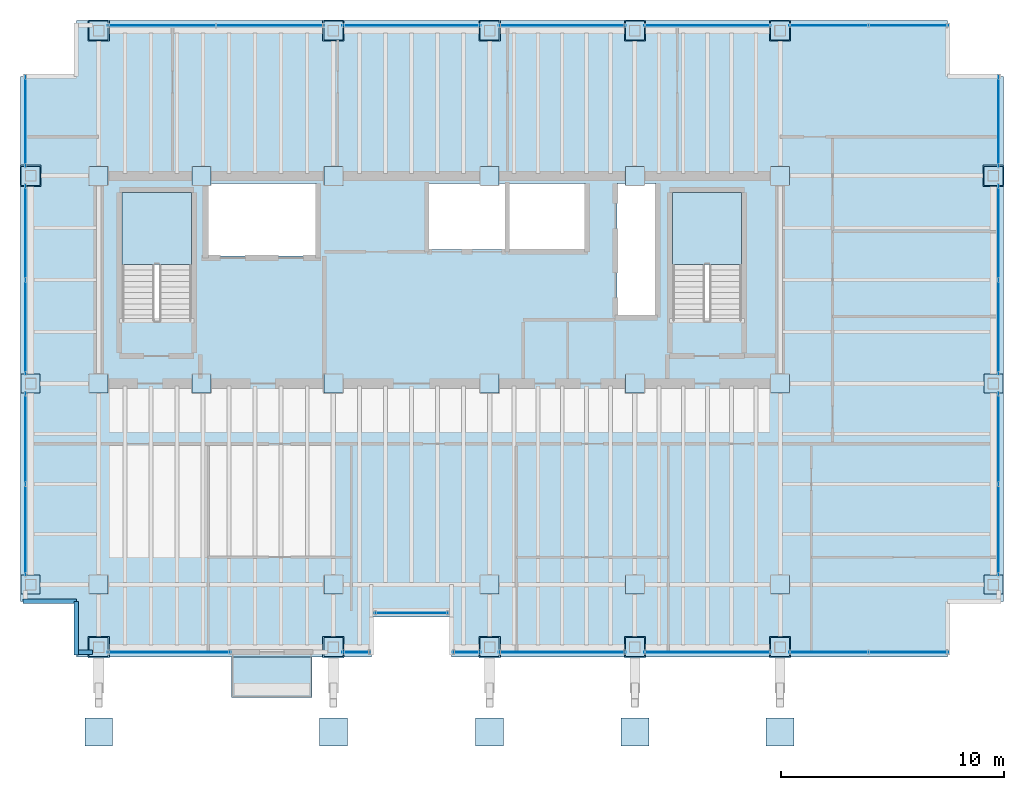
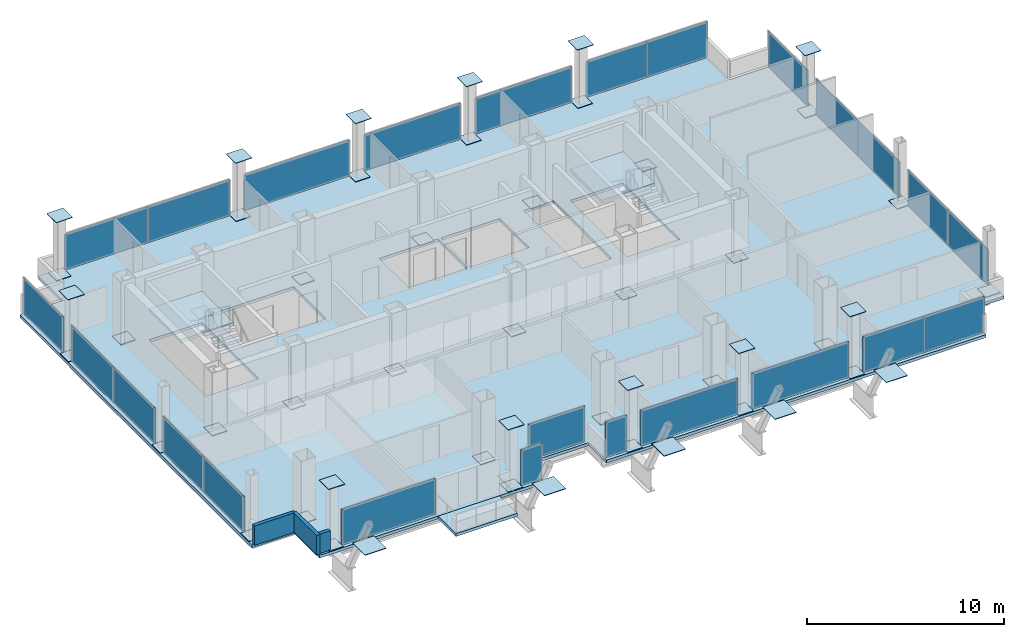
# One storey, part 12 of 16: 75 plates, 4 slabs, 3 walls, 6 openings, 20 elements without a shape of their own.
"""IFC4 building model written with IfcOpenShell, lengths in metres."""

from ifc_helpers import new_model, si_unit, direction, frame, frame_2d, origin, origin_2d, place, context, subcontext, project, spatial, polyline, rectangle, outline, extrude, material, layer, layer_set, type_object, element, aggregate, save


model = new_model("IFC4")

# Units and contexts
model_context = context("Model", 3, precision=1e-05, world=origin(), true_north=direction((0.0, 1.0)))
body_context = subcontext(model_context, "Body", "Model", "MODEL_VIEW")
ifc_project = project(units=[si_unit("LENGTHUNIT", "METRE"), si_unit("AREAUNIT", "SQUARE_METRE"), si_unit("VOLUMEUNIT", "CUBIC_METRE"), si_unit("PLANEANGLEUNIT", "RADIAN"), si_unit("MASSUNIT", "GRAM", prefix="KILO")], contexts=[model_context])

# Site, building, storey
site_placement = place(None, origin())
site = spatial("IfcSite", under=ifc_project, at=site_placement, CompositionType="ELEMENT")
building_placement = place(site_placement, origin())
building = spatial("IfcBuilding", under=site, at=building_placement, Name="Noeulbin Bourse Tower", CompositionType="ELEMENT")
storey_placement = place(building_placement, frame((0.0, 0.0, 192.89990234375)))
storey = spatial("IfcBuildingStorey", under=building, at=storey_placement, Name="L48", CompositionType="ELEMENT", Elevation=192.89990234375)

# Curtain wall, plate
ifc_material_1 = material(Name="Dark Tinted Triple Glazing", Category="glass")
curtain_wall_type = type_object("IfcCurtainWallType", Name="CW-SYS-3", PredefinedType="NOTDEFINED", material=ifc_material_1)
curtain_wall_1_placement = place(storey_placement, origin())
curtain_wall_1 = element("IfcCurtainWall", 1, at=curtain_wall_1_placement, inside=storey, type_object=curtain_wall_type, Name="Unitised Curtain Wall CW-L48-SREC", PredefinedType="NOTDEFINED")
ifc_layer_1 = layer(ifc_material_1, 0.035888671875)
ifc_layer_set_1 = layer_set([ifc_layer_1], Name="Dark Tinted Triple Glazing")
plate_type_1 = type_object("IfcPlateType", Name="CW-SYS-3-PNL", PredefinedType="CURTAIN_PANEL", material=ifc_layer_set_1)
plate_1_placement = place(storey_placement, frame((27.5, 18.72998046875, 0.0), z_axis=(0.0, 0.0, 1.0), x_axis=(1.0, 0.0, 0.0)))
plate_1 = element("IfcPlate", 2, at=plate_1_placement, type_object=plate_type_1, Name="Glazed Curtain Panel CW-L48-SREC-P00", PredefinedType="CURTAIN_PANEL", context=body_context, shape_type="SweptSolid", body=[
    extrude(rectangle(XDim=3.300048828125, YDim=0.035888671875, at=origin_2d()), origin(), (0.0, 0.0, 1.0), 2.219970703125),
])
aggregate(curtain_wall_1, [plate_1])

curtain_wall_2_placement = place(storey_placement, origin())
curtain_wall_2 = element("IfcCurtainWall", 3, at=curtain_wall_2_placement, inside=storey, type_object=curtain_wall_type, Name="Unitised Curtain Wall CW-L48-S1", PredefinedType="NOTDEFINED")
plate_2_placement = place(storey_placement, frame((16.655029296875, 16.969970703125, 0.0), z_axis=(0.0, 0.0, 1.0), x_axis=(1.0, 0.0, 0.0)))
plate_2 = element("IfcPlate", 4, at=plate_2_placement, type_object=plate_type_1, Name="Glazed Curtain Panel CW-L48-S1-P00", PredefinedType="CURTAIN_PANEL", context=body_context, shape_type="SweptSolid", body=[
    extrude(rectangle(XDim=5.489990234375, YDim=0.035888671875, at=origin_2d()), origin(), (0.0, 0.0, 1.0), 2.219970703125),
])
aggregate(curtain_wall_2, [plate_2])

curtain_wall_3_placement = place(storey_placement, origin())
curtain_wall_3 = element("IfcCurtainWall", 5, at=curtain_wall_3_placement, inside=storey, type_object=curtain_wall_type, Name="Unitised Curtain Wall CW-L48-S2", PredefinedType="NOTDEFINED")
plate_3_placement = place(storey_placement, frame((25.030029296875, 16.969970703125, 0.0), z_axis=(0.0, 0.0, 1.0), x_axis=(1.0, 0.0, 0.0)))
plate_3 = element("IfcPlate", 6, at=plate_3_placement, type_object=plate_type_1, Name="Glazed Curtain Panel CW-L48-S2-P00", PredefinedType="CURTAIN_PANEL", context=body_context, shape_type="SweptSolid", body=[
    extrude(rectangle(XDim=1.239990234375, YDim=0.035888671875, at=origin_2d()), origin(), (0.0, 0.0, 1.0), 2.219970703125),
])
aggregate(curtain_wall_3, [plate_3])

curtain_wall_4_placement = place(storey_placement, origin())
curtain_wall_4 = element("IfcCurtainWall", 7, at=curtain_wall_4_placement, inside=storey, type_object=curtain_wall_type, Name="Unitised Curtain Wall CW-L48-S3-S1", PredefinedType="NOTDEFINED")
plate_4_placement = place(storey_placement, frame((29.969970703125, 16.969970703125, 0.0), z_axis=(0.0, 0.0, 1.0), x_axis=(1.0, 0.0, 0.0)))
plate_4 = element("IfcPlate", 8, at=plate_4_placement, type_object=plate_type_1, Name="Glazed Curtain Panel CW-L48-S3-S1-P00", PredefinedType="CURTAIN_PANEL", context=body_context, shape_type="SweptSolid", body=[
    extrude(rectangle(XDim=1.239990234375, YDim=0.035888671875, at=origin_2d()), origin(), (0.0, 0.0, 1.0), 2.219970703125),
])
aggregate(curtain_wall_4, [plate_4])

curtain_wall_5_placement = place(storey_placement, origin())
curtain_wall_5 = element("IfcCurtainWall", 9, at=curtain_wall_5_placement, inside=storey, type_object=curtain_wall_type, Name="Unitised Curtain Wall CW-L48-S3-S2", PredefinedType="NOTDEFINED")
plate_5_placement = place(storey_placement, frame((34.25, 16.969970703125, 0.0), z_axis=(0.0, 0.0, 1.0), x_axis=(1.0, 0.0, 0.0)))
plate_5 = element("IfcPlate", 10, at=plate_5_placement, type_object=plate_type_1, Name="Glazed Curtain Panel CW-L48-S3-S2-P00", PredefinedType="CURTAIN_PANEL", context=body_context, shape_type="SweptSolid", body=[
    extrude(rectangle(XDim=5.679931640625, YDim=0.035888671875, at=origin_2d()), origin(), (0.0, 0.0, 1.0), 2.219970703125),
])
aggregate(curtain_wall_5, [plate_5])

curtain_wall_6_placement = place(storey_placement, origin())
curtain_wall_6 = element("IfcCurtainWall", 11, at=curtain_wall_6_placement, inside=storey, type_object=curtain_wall_type, Name="Unitised Curtain Wall CW-L48-S3-S3", PredefinedType="NOTDEFINED")
plate_6_placement = place(storey_placement, frame((40.75, 16.969970703125, 0.0), z_axis=(0.0, 0.0, 1.0), x_axis=(1.0, 0.0, 0.0)))
plate_6 = element("IfcPlate", 12, at=plate_6_placement, type_object=plate_type_1, Name="Glazed Curtain Panel CW-L48-S3-S3-P00", PredefinedType="CURTAIN_PANEL", context=body_context, shape_type="SweptSolid", body=[
    extrude(rectangle(XDim=5.679931640625, YDim=0.035888671875, at=origin_2d()), origin(), (0.0, 0.0, 1.0), 2.219970703125),
])
aggregate(curtain_wall_6, [plate_6])

# Curtain wall, plates
curtain_wall_7_placement = place(storey_placement, origin())
curtain_wall_7 = element("IfcCurtainWall", 13, at=curtain_wall_7_placement, inside=storey, type_object=curtain_wall_type, Name="Unitised Curtain Wall CW-L48-S3-S4", PredefinedType="NOTDEFINED")
plate_7_placement = place(storey_placement, frame((46.1875, 16.969970703125, 0.0), z_axis=(0.0, 0.0, 1.0), x_axis=(1.0, 0.0, 0.0)))
plate_7 = element("IfcPlate", 14, at=plate_7_placement, type_object=plate_type_1, Name="Glazed Curtain Panel CW-L48-S3-S4-P00", PredefinedType="CURTAIN_PANEL", context=body_context, shape_type="SweptSolid", body=[
    extrude(rectangle(XDim=3.554931640625, YDim=0.035888671875, at=origin_2d()), origin(), (0.0, 0.0, 1.0), 2.219970703125),
])
plate_8_placement = place(storey_placement, frame((49.742431640625, 16.969970703125, 0.0), z_axis=(0.0, 0.0, 1.0), x_axis=(1.0, 0.0, 0.0)))
plate_8 = element("IfcPlate", 15, at=plate_8_placement, type_object=plate_type_1, Name="Glazed Curtain Panel CW-L48-S3-S4-P01", PredefinedType="CURTAIN_PANEL", context=body_context, shape_type="SweptSolid", body=[
    extrude(rectangle(XDim=3.554931640625, YDim=0.035888671875, at=origin_2d()), origin(), (0.0, 0.0, 1.0), 2.219970703125),
])
aggregate(curtain_wall_7, [plate_7, plate_8])

curtain_wall_8_placement = place(storey_placement, origin())
curtain_wall_8 = element("IfcCurtainWall", 16, at=curtain_wall_8_placement, inside=storey, type_object=curtain_wall_type, Name="Unitised Curtain Wall CW-L48-N-S1", PredefinedType="NOTDEFINED")
plate_9_placement = place(storey_placement, frame((16.330078125, 45.030029296875, 0.0), z_axis=(0.0, 0.0, 1.0), x_axis=(1.0, 0.0, 0.0)))
plate_9 = element("IfcPlate", 17, at=plate_9_placement, type_object=plate_type_1, Name="Glazed Curtain Panel CW-L48-N-S1-P00", PredefinedType="CURTAIN_PANEL", context=body_context, shape_type="SweptSolid", body=[
    extrude(rectangle(XDim=4.840087890625, YDim=0.035888671875, at=origin_2d()), origin(), (0.0, 0.0, 1.0), 2.219970703125),
])
plate_10_placement = place(storey_placement, frame((21.169921875, 45.030029296875, 0.0), z_axis=(0.0, 0.0, 1.0), x_axis=(1.0, 0.0, 0.0)))
plate_10 = element("IfcPlate", 18, at=plate_10_placement, type_object=plate_type_1, Name="Glazed Curtain Panel CW-L48-N-S1-P01", PredefinedType="CURTAIN_PANEL", context=body_context, shape_type="SweptSolid", body=[
    extrude(rectangle(XDim=4.840087890625, YDim=0.035888671875, at=origin_2d()), origin(), (0.0, 0.0, 1.0), 2.219970703125),
])
aggregate(curtain_wall_8, [plate_9, plate_10])

# Curtain wall, plate
curtain_wall_9_placement = place(storey_placement, origin())
curtain_wall_9 = element("IfcCurtainWall", 19, at=curtain_wall_9_placement, inside=storey, type_object=curtain_wall_type, Name="Unitised Curtain Wall CW-L48-N-S2", PredefinedType="NOTDEFINED")
plate_11_placement = place(storey_placement, frame((27.5, 45.030029296875, 0.0), z_axis=(0.0, 0.0, 1.0), x_axis=(1.0, 0.0, 0.0)))
plate_11 = element("IfcPlate", 20, at=plate_11_placement, type_object=plate_type_1, Name="Glazed Curtain Panel CW-L48-N-S2-P00", PredefinedType="CURTAIN_PANEL", context=body_context, shape_type="SweptSolid", body=[
    extrude(rectangle(XDim=6.179931640625, YDim=0.035888671875, at=origin_2d()), origin(), (0.0, 0.0, 1.0), 2.219970703125),
])
aggregate(curtain_wall_9, [plate_11])

curtain_wall_10_placement = place(storey_placement, origin())
curtain_wall_10 = element("IfcCurtainWall", 21, at=curtain_wall_10_placement, inside=storey, type_object=curtain_wall_type, Name="Unitised Curtain Wall CW-L48-N-S3", PredefinedType="NOTDEFINED")
plate_12_placement = place(storey_placement, frame((34.25, 45.030029296875, 0.0), z_axis=(0.0, 0.0, 1.0), x_axis=(1.0, 0.0, 0.0)))
plate_12 = element("IfcPlate", 22, at=plate_12_placement, type_object=plate_type_1, Name="Glazed Curtain Panel CW-L48-N-S3-P00", PredefinedType="CURTAIN_PANEL", context=body_context, shape_type="SweptSolid", body=[
    extrude(rectangle(XDim=5.679931640625, YDim=0.035888671875, at=origin_2d()), origin(), (0.0, 0.0, 1.0), 2.219970703125),
])
aggregate(curtain_wall_10, [plate_12])

curtain_wall_11_placement = place(storey_placement, origin())
curtain_wall_11 = element("IfcCurtainWall", 23, at=curtain_wall_11_placement, inside=storey, type_object=curtain_wall_type, Name="Unitised Curtain Wall CW-L48-N-S4", PredefinedType="NOTDEFINED")
plate_13_placement = place(storey_placement, frame((40.75, 45.030029296875, 0.0), z_axis=(0.0, 0.0, 1.0), x_axis=(1.0, 0.0, 0.0)))
plate_13 = element("IfcPlate", 24, at=plate_13_placement, type_object=plate_type_1, Name="Glazed Curtain Panel CW-L48-N-S4-P00", PredefinedType="CURTAIN_PANEL", context=body_context, shape_type="SweptSolid", body=[
    extrude(rectangle(XDim=5.679931640625, YDim=0.035888671875, at=origin_2d()), origin(), (0.0, 0.0, 1.0), 2.219970703125),
])
aggregate(curtain_wall_11, [plate_13])

# Curtain wall, plates
curtain_wall_12_placement = place(storey_placement, origin())
curtain_wall_12 = element("IfcCurtainWall", 25, at=curtain_wall_12_placement, inside=storey, type_object=curtain_wall_type, Name="Unitised Curtain Wall CW-L48-N-S5", PredefinedType="NOTDEFINED")
plate_14_placement = place(storey_placement, frame((46.1875, 45.030029296875, 0.0), z_axis=(0.0, 0.0, 1.0), x_axis=(1.0, 0.0, 0.0)))
plate_14 = element("IfcPlate", 26, at=plate_14_placement, type_object=plate_type_1, Name="Glazed Curtain Panel CW-L48-N-S5-P00", PredefinedType="CURTAIN_PANEL", context=body_context, shape_type="SweptSolid", body=[
    extrude(rectangle(XDim=3.554931640625, YDim=0.035888671875, at=origin_2d()), origin(), (0.0, 0.0, 1.0), 2.219970703125),
])
plate_15_placement = place(storey_placement, frame((49.742431640625, 45.030029296875, 0.0), z_axis=(0.0, 0.0, 1.0), x_axis=(1.0, 0.0, 0.0)))
plate_15 = element("IfcPlate", 27, at=plate_15_placement, type_object=plate_type_1, Name="Glazed Curtain Panel CW-L48-N-S5-P01", PredefinedType="CURTAIN_PANEL", context=body_context, shape_type="SweptSolid", body=[
    extrude(rectangle(XDim=3.554931640625, YDim=0.035888671875, at=origin_2d()), origin(), (0.0, 0.0, 1.0), 2.219970703125),
])
aggregate(curtain_wall_12, [plate_14, plate_15])

curtain_wall_13_placement = place(storey_placement, origin())
curtain_wall_13 = element("IfcCurtainWall", 28, at=curtain_wall_13_placement, inside=storey, type_object=curtain_wall_type, Name="Unitised Curtain Wall CW-L48-W-S1", PredefinedType="NOTDEFINED")
plate_16_placement = place(storey_placement, frame((10.219970703125, 22.455078125, 0.0), z_axis=(0.0, 0.0, 1.0), x_axis=(0.0, 1.0, 0.0)))
plate_16 = element("IfcPlate", 29, at=plate_16_placement, type_object=plate_type_1, Name="Glazed Curtain Panel CW-L48-W-S1-P00", PredefinedType="CURTAIN_PANEL", context=body_context, shape_type="SweptSolid", body=[
    extrude(rectangle(XDim=4.090087890625, YDim=0.035888671875, at=origin_2d()), origin(), (0.0, 0.0, 1.0), 2.219970703125),
])
plate_17_placement = place(storey_placement, frame((10.219970703125, 26.544921875, 0.0), z_axis=(0.0, 0.0, 1.0), x_axis=(0.0, 1.0, 0.0)))
plate_17 = element("IfcPlate", 30, at=plate_17_placement, type_object=plate_type_1, Name="Glazed Curtain Panel CW-L48-W-S1-P01", PredefinedType="CURTAIN_PANEL", context=body_context, shape_type="SweptSolid", body=[
    extrude(rectangle(XDim=4.090087890625, YDim=0.035888671875, at=origin_2d()), origin(), (0.0, 0.0, 1.0), 2.219970703125),
])
aggregate(curtain_wall_13, [plate_16, plate_17])

curtain_wall_14_placement = place(storey_placement, origin())
curtain_wall_14 = element("IfcCurtainWall", 31, at=curtain_wall_14_placement, inside=storey, type_object=curtain_wall_type, Name="Unitised Curtain Wall CW-L48-W-S2", PredefinedType="NOTDEFINED")
plate_18_placement = place(storey_placement, frame((10.219970703125, 31.530029296875, 0.0), z_axis=(0.0, 0.0, 1.0), x_axis=(0.0, 1.0, 0.0)))
plate_18 = element("IfcPlate", 32, at=plate_18_placement, type_object=plate_type_1, Name="Glazed Curtain Panel CW-L48-W-S2-P00", PredefinedType="CURTAIN_PANEL", context=body_context, shape_type="SweptSolid", body=[
    extrude(rectangle(XDim=4.239990234375, YDim=0.035888671875, at=origin_2d()), origin(), (0.0, 0.0, 1.0), 2.219970703125),
])
plate_19_placement = place(storey_placement, frame((10.219970703125, 35.77001953125, 0.0), z_axis=(0.0, 0.0, 1.0), x_axis=(0.0, 1.0, 0.0)))
plate_19 = element("IfcPlate", 33, at=plate_19_placement, type_object=plate_type_1, Name="Glazed Curtain Panel CW-L48-W-S2-P01", PredefinedType="CURTAIN_PANEL", context=body_context, shape_type="SweptSolid", body=[
    extrude(rectangle(XDim=4.239990234375, YDim=0.035888671875, at=origin_2d()), origin(), (0.0, 0.0, 1.0), 2.219970703125),
])
aggregate(curtain_wall_14, [plate_18, plate_19])

# Curtain wall, plate
curtain_wall_15_placement = place(storey_placement, origin())
curtain_wall_15 = element("IfcCurtainWall", 34, at=curtain_wall_15_placement, inside=storey, type_object=curtain_wall_type, Name="Unitised Curtain Wall CW-L48-W-S3", PredefinedType="NOTDEFINED")
plate_20_placement = place(storey_placement, frame((10.219970703125, 40.739990234375, 0.0), z_axis=(0.0, 0.0, 1.0), x_axis=(0.0, 1.0, 0.0)))
plate_20 = element("IfcPlate", 35, at=plate_20_placement, type_object=plate_type_1, Name="Glazed Curtain Panel CW-L48-W-S3-P00", PredefinedType="CURTAIN_PANEL", context=body_context, shape_type="SweptSolid", body=[
    extrude(rectangle(XDim=4.06005859375, YDim=0.035888671875, at=origin_2d()), origin(), (0.0, 0.0, 1.0), 2.219970703125),
])
aggregate(curtain_wall_15, [plate_20])

# Curtain wall, plates
curtain_wall_16_placement = place(storey_placement, origin())
curtain_wall_16 = element("IfcCurtainWall", 36, at=curtain_wall_16_placement, inside=storey, type_object=curtain_wall_type, Name="Unitised Curtain Wall CW-L48-E-S1", PredefinedType="NOTDEFINED")
plate_21_placement = place(storey_placement, frame((53.780029296875, 22.455078125, 0.0), z_axis=(0.0, 0.0, 1.0), x_axis=(0.0, 1.0, 0.0)))
plate_21 = element("IfcPlate", 37, at=plate_21_placement, type_object=plate_type_1, Name="Glazed Curtain Panel CW-L48-E-S1-P00", PredefinedType="CURTAIN_PANEL", context=body_context, shape_type="SweptSolid", body=[
    extrude(rectangle(XDim=4.090087890625, YDim=0.035888671875, at=origin_2d()), origin(), (0.0, 0.0, 1.0), 2.219970703125),
])
plate_22_placement = place(storey_placement, frame((53.780029296875, 26.544921875, 0.0), z_axis=(0.0, 0.0, 1.0), x_axis=(0.0, 1.0, 0.0)))
plate_22 = element("IfcPlate", 38, at=plate_22_placement, type_object=plate_type_1, Name="Glazed Curtain Panel CW-L48-E-S1-P01", PredefinedType="CURTAIN_PANEL", context=body_context, shape_type="SweptSolid", body=[
    extrude(rectangle(XDim=4.090087890625, YDim=0.035888671875, at=origin_2d()), origin(), (0.0, 0.0, 1.0), 2.219970703125),
])
aggregate(curtain_wall_16, [plate_21, plate_22])

curtain_wall_17_placement = place(storey_placement, origin())
curtain_wall_17 = element("IfcCurtainWall", 39, at=curtain_wall_17_placement, inside=storey, type_object=curtain_wall_type, Name="Unitised Curtain Wall CW-L48-E-S2", PredefinedType="NOTDEFINED")
plate_23_placement = place(storey_placement, frame((53.780029296875, 31.530029296875, 0.0), z_axis=(0.0, 0.0, 1.0), x_axis=(0.0, 1.0, 0.0)))
plate_23 = element("IfcPlate", 40, at=plate_23_placement, type_object=plate_type_1, Name="Glazed Curtain Panel CW-L48-E-S2-P00", PredefinedType="CURTAIN_PANEL", context=body_context, shape_type="SweptSolid", body=[
    extrude(rectangle(XDim=4.239990234375, YDim=0.035888671875, at=origin_2d()), origin(), (0.0, 0.0, 1.0), 2.219970703125),
])
plate_24_placement = place(storey_placement, frame((53.780029296875, 35.77001953125, 0.0), z_axis=(0.0, 0.0, 1.0), x_axis=(0.0, 1.0, 0.0)))
plate_24 = element("IfcPlate", 41, at=plate_24_placement, type_object=plate_type_1, Name="Glazed Curtain Panel CW-L48-E-S2-P01", PredefinedType="CURTAIN_PANEL", context=body_context, shape_type="SweptSolid", body=[
    extrude(rectangle(XDim=4.239990234375, YDim=0.035888671875, at=origin_2d()), origin(), (0.0, 0.0, 1.0), 2.219970703125),
])
aggregate(curtain_wall_17, [plate_23, plate_24])

# Curtain wall, plate
curtain_wall_18_placement = place(storey_placement, origin())
curtain_wall_18 = element("IfcCurtainWall", 42, at=curtain_wall_18_placement, inside=storey, type_object=curtain_wall_type, Name="Unitised Curtain Wall CW-L48-E-S3", PredefinedType="NOTDEFINED")
plate_25_placement = place(storey_placement, frame((53.780029296875, 40.739990234375, 0.0), z_axis=(0.0, 0.0, 1.0), x_axis=(0.0, 1.0, 0.0)))
plate_25 = element("IfcPlate", 43, at=plate_25_placement, type_object=plate_type_1, Name="Glazed Curtain Panel CW-L48-E-S3-P00", PredefinedType="CURTAIN_PANEL", context=body_context, shape_type="SweptSolid", body=[
    extrude(rectangle(XDim=4.06005859375, YDim=0.035888671875, at=origin_2d()), origin(), (0.0, 0.0, 1.0), 2.219970703125),
])
aggregate(curtain_wall_18, [plate_25])

# Plates
ifc_material_2 = material(Name="Steel S355", Category="steel")
ifc_layer_2 = layer(ifc_material_2, 0.030029296875)
ifc_layer_set_2 = layer_set([ifc_layer_2], Name="Steel S355")
plate_type_2 = type_object("IfcPlateType", Name="PLT-BN1", PredefinedType="USERDEFINED", material=ifc_layer_set_2)
for number, where, z_axis, x_axis, name in (
    (44, (13.5, 29.0, 0.0048828125), (0.0, 0.0, 1.0), (1.0, 0.0, 0.0), "Mega-Column Splice Plate BN1-L48-01"),
    (45, (13.5, 38.300048828125, 0.0048828125), (0.0, 0.0, 1.0), (1.0, 0.0, 0.0), "Mega-Column Splice Plate BN1-L48-02"),
    (46, (18.10009765625, 29.0, 0.0048828125), (0.0, 0.0, 1.0), (1.0, 0.0, 0.0), "Mega-Column Splice Plate BN1-L48-03"),
    (47, (18.10009765625, 38.300048828125, 0.0048828125), (0.0, 0.0, 1.0), (1.0, 0.0, 0.0), "Mega-Column Splice Plate BN1-L48-04"),
    (48, (24.0, 29.0, 0.0048828125), (0.0, 0.0, 1.0), (1.0, 0.0, 0.0), "Mega-Column Splice Plate BN1-L48-05"),
    (49, (24.0, 38.300048828125, 0.0048828125), (0.0, 0.0, 1.0), (1.0, 0.0, 0.0), "Mega-Column Splice Plate BN1-L48-06"),
    (50, (31.0, 29.0, 0.0048828125), (0.0, 0.0, 1.0), (1.0, 0.0, 0.0), "Mega-Column Splice Plate BN1-L48-07"),
    (51, (31.0, 38.300048828125, 0.0048828125), (0.0, 0.0, 1.0), (1.0, 0.0, 0.0), "Mega-Column Splice Plate BN1-L48-08"),
    (52, (37.5, 29.0, 0.0048828125), (0.0, 0.0, 1.0), (1.0, 0.0, 0.0), "Mega-Column Splice Plate BN1-L48-09"),
    (53, (37.5, 38.300048828125, 0.0048828125), (0.0, 0.0, 1.0), (1.0, 0.0, 0.0), "Mega-Column Splice Plate BN1-L48-10"),
    (54, (44.0, 29.0, 0.0048828125), (0.0, 0.0, 1.0), (1.0, 0.0, 0.0), "Mega-Column Splice Plate BN1-L48-11"),
    (55, (44.0, 38.300048828125, 0.0048828125), (0.0, 0.0, 1.0), (1.0, 0.0, 0.0), "Mega-Column Splice Plate BN1-L48-12"),
    (56, (13.5, 20.0, 0.0048828125), (0.0, 0.0, 1.0), (1.0, 0.0, 0.0), "Mega-Column Splice Plate BN1-L48-13"),
    (57, (24.0, 20.0, 0.0048828125), (0.0, 0.0, 1.0), (1.0, 0.0, 0.0), "Mega-Column Splice Plate BN1-L48-14"),
    (58, (31.0, 20.0, 0.0048828125), (0.0, 0.0, 1.0), (1.0, 0.0, 0.0), "Mega-Column Splice Plate BN1-L48-15"),
    (59, (37.5, 20.0, 0.0048828125), (0.0, 0.0, 1.0), (1.0, 0.0, 0.0), "Mega-Column Splice Plate BN1-L48-16"),
    (60, (44.0, 20.0, 0.0048828125), (0.0, 0.0, 1.0), (1.0, 0.0, 0.0), "Mega-Column Splice Plate BN1-L48-17"),
    (61, (10.449951171875, 20.0, 0.0048828125), (0.0, 0.0, 1.0), (1.0, 0.0, 0.0), "Perimeter Column Splice Plate BN1-L48-01"),
    (62, (10.449951171875, 29.0, 0.0048828125), (0.0, 0.0, 1.0), (1.0, 0.0, 0.0), "Perimeter Column Splice Plate BN1-L48-02"),
    (63, (10.449951171875, 38.300048828125, 0.0048828125), (0.0, 0.0, 1.0), (1.0, 0.0, 0.0), "Perimeter Column Splice Plate BN1-L48-03"),
    (64, (13.5, 17.199951171875, 0.0048828125), (0.0, 0.0, 1.0), (1.0, 0.0, 0.0), "Perimeter Column Splice Plate BN1-L48-04"),
    (65, (13.5, 44.800048828125, 0.0048828125), (0.0, 0.0, 1.0), (1.0, 0.0, 0.0), "Perimeter Column Splice Plate BN1-L48-05"),
    (66, (24.0, 17.199951171875, 0.0048828125), (0.0, 0.0, 1.0), (1.0, 0.0, 0.0), "Perimeter Column Splice Plate BN1-L48-06"),
    (67, (24.0, 44.800048828125, 0.0048828125), (0.0, 0.0, 1.0), (1.0, 0.0, 0.0), "Perimeter Column Splice Plate BN1-L48-07"),
    (68, (31.0, 17.199951171875, 0.0048828125), (0.0, 0.0, 1.0), (1.0, 0.0, 0.0), "Perimeter Column Splice Plate BN1-L48-08"),
    (69, (31.0, 44.800048828125, 0.0048828125), (0.0, 0.0, 1.0), (1.0, 0.0, 0.0), "Perimeter Column Splice Plate BN1-L48-09"),
    (70, (37.5, 17.199951171875, 0.0048828125), (0.0, 0.0, 1.0), (1.0, 0.0, 0.0), "Perimeter Column Splice Plate BN1-L48-10"),
    (71, (37.5, 44.800048828125, 0.0048828125), (0.0, 0.0, 1.0), (1.0, 0.0, 0.0), "Perimeter Column Splice Plate BN1-L48-11"),
    (72, (44.0, 17.199951171875, 0.0048828125), (0.0, 0.0, 1.0), (1.0, 0.0, 0.0), "Perimeter Column Splice Plate BN1-L48-12"),
    (73, (44.0, 44.800048828125, 0.0048828125), (0.0, 0.0, 1.0), (1.0, 0.0, 0.0), "Perimeter Column Splice Plate BN1-L48-13"),
    (74, (53.550048828125, 20.0, 0.0048828125), (0.0, 0.0, 1.0), (1.0, 0.0, 0.0), "Perimeter Column Splice Plate BN1-L48-14"),
    (75, (53.550048828125, 29.0, 0.0048828125), (0.0, 0.0, 1.0), (1.0, 0.0, 0.0), "Perimeter Column Splice Plate BN1-L48-15"),
    (76, (53.550048828125, 38.300048828125, 0.0048828125), (0.0, 0.0, 1.0), (1.0, 0.0, 0.0), "Perimeter Column Splice Plate BN1-L48-16"),
):
    element("IfcPlate", number, at=place(storey_placement, frame(where, z_axis=z_axis, x_axis=x_axis)), inside=storey, type_object=plate_type_2, Name=name, ObjectType="SPLICE PLATE", PredefinedType="USERDEFINED", context=body_context, shape_type="SweptSolid", body=[
        extrude(rectangle(XDim=0.85009765625, YDim=0.85009765625, at=origin_2d()), origin(), (0.0, 0.0, 1.0), 0.030029296875),
    ])
ifc_material_3 = material(Name="Steel S460", Category="steel")
ifc_layer_3 = layer(ifc_material_3, 0.0400390625)
ifc_layer_set_3 = layer_set([ifc_layer_3], Name="Steel S460")
plate_type_3 = type_object("IfcPlateType", Name="PLT-KN1", PredefinedType="USERDEFINED", material=ifc_layer_set_3)
for number, where, z_axis, x_axis, name in (
    (77, (13.5, 13.39990234375, 2.260009765625), (0.0, 0.0, 1.0), (1.0, 0.0, 0.0), "Exoskeleton Kink Gusset KN1-01"),
    (78, (24.0, 13.39990234375, 2.260009765625), (0.0, 0.0, 1.0), (1.0, 0.0, 0.0), "Exoskeleton Kink Gusset KN1-02"),
    (79, (31.0, 13.39990234375, 2.260009765625), (0.0, 0.0, 1.0), (1.0, 0.0, 0.0), "Exoskeleton Kink Gusset KN1-03"),
    (80, (37.5, 13.39990234375, 2.260009765625), (0.0, 0.0, 1.0), (1.0, 0.0, 0.0), "Exoskeleton Kink Gusset KN1-04"),
    (81, (44.0, 13.39990234375, 2.260009765625), (0.0, 0.0, 1.0), (1.0, 0.0, 0.0), "Exoskeleton Kink Gusset KN1-05"),
):
    element("IfcPlate", number, at=place(storey_placement, frame(where, z_axis=z_axis, x_axis=x_axis)), inside=storey, type_object=plate_type_3, Name=name, ObjectType="GUSSET PLATE", PredefinedType="USERDEFINED", context=body_context, shape_type="SweptSolid", body=[
        extrude(rectangle(XDim=1.25, YDim=1.25, at=origin_2d()), origin(), (0.0, 0.0, 1.0), 0.0400390625),
    ])
ifc_layer_4 = layer(ifc_material_2, 0.031982421875)
ifc_layer_set_4 = layer_set([ifc_layer_4], Name="Steel S355")
plate_type_4 = type_object("IfcPlateType", Name="PLT-KN3", PredefinedType="USERDEFINED", material=ifc_layer_set_4)
for number, where, z_axis, x_axis, name in (
    (82, (10.449951171875, 38.300048828125, 3.88427734375), (0.0, 0.0, 1.0), (1.0, 0.0, 0.0), "Perimeter Column End Cap Plate KN3-03"),
    (83, (13.5, 17.199951171875, 3.88427734375), (0.0, 0.0, 1.0), (1.0, 0.0, 0.0), "Perimeter Column End Cap Plate KN3-04"),
    (84, (13.5, 44.800048828125, 3.64404296875), (0.0, 0.0, 1.0), (1.0, 0.0, 0.0), "Perimeter Column End Cap Plate KN3-05"),
    (85, (24.0, 17.199951171875, 3.88427734375), (0.0, 0.0, 1.0), (1.0, 0.0, 0.0), "Perimeter Column End Cap Plate KN3-06"),
    (86, (24.0, 44.800048828125, 3.64404296875), (0.0, 0.0, 1.0), (1.0, 0.0, 0.0), "Perimeter Column End Cap Plate KN3-07"),
    (87, (31.0, 17.199951171875, 3.88427734375), (0.0, 0.0, 1.0), (1.0, 0.0, 0.0), "Perimeter Column End Cap Plate KN3-08"),
    (88, (31.0, 44.800048828125, 3.64404296875), (0.0, 0.0, 1.0), (1.0, 0.0, 0.0), "Perimeter Column End Cap Plate KN3-09"),
    (89, (37.5, 17.199951171875, 3.88427734375), (0.0, 0.0, 1.0), (1.0, 0.0, 0.0), "Perimeter Column End Cap Plate KN3-10"),
    (90, (37.5, 44.800048828125, 3.64404296875), (0.0, 0.0, 1.0), (1.0, 0.0, 0.0), "Perimeter Column End Cap Plate KN3-11"),
    (91, (44.0, 17.199951171875, 3.88427734375), (0.0, 0.0, 1.0), (1.0, 0.0, 0.0), "Perimeter Column End Cap Plate KN3-12"),
    (92, (44.0, 44.800048828125, 3.64404296875), (0.0, 0.0, 1.0), (1.0, 0.0, 0.0), "Perimeter Column End Cap Plate KN3-13"),
    (93, (53.550048828125, 38.300048828125, 3.88427734375), (0.0, 0.0, 1.0), (1.0, 0.0, 0.0), "Perimeter Column End Cap Plate KN3-16"),
):
    element("IfcPlate", number, at=place(storey_placement, frame(where, z_axis=z_axis, x_axis=x_axis)), inside=storey, type_object=plate_type_4, Name=name, ObjectType="END PLATE", PredefinedType="USERDEFINED", context=body_context, shape_type="SweptSolid", body=[
        extrude(rectangle(XDim=0.949951171875, YDim=0.949951171875, at=origin_2d()), origin(), (0.0, 0.0, 1.0), 0.031982421875),
    ])

# Stair, slab
ifc_material_4 = material(Name="Concrete C40/50", Category="concrete")
stair_type = type_object("IfcStairType", Name="STR-CORE-1560", PredefinedType="HALF_TURN_STAIR", material=ifc_material_4)
stair_1_placement = place(storey_placement, origin())
stair_1 = element("IfcStair", 94, at=stair_1_placement, inside=storey, type_object=stair_type, Name="L48 ST-1", PredefinedType="HALF_TURN_STAIR")
ifc_layer_5 = layer(ifc_material_4, 0.199951171875)
ifc_layer_set_5 = layer_set([ifc_layer_5], Name="Concrete C40/50")
slab_type_1 = type_object("IfcSlabType", Name="SLB-LND-200", PredefinedType="LANDING", material=ifc_layer_set_5)
slab_1_placement = place(storey_placement, frame((0.0, 0.0, 1.75)))
slab_1 = element("IfcSlab", 95, at=slab_1_placement, type_object=slab_type_1, Name="ST-1 landing 1", PredefinedType="LANDING", context=body_context, shape_type="SweptSolid", body=[
    extrude(outline(polyline([(17.64990234375, 34.330078125), (17.64990234375, 37.5439453125), (14.550048828125, 37.5439453125), (14.550048828125, 34.330078125), (17.64990234375, 34.330078125)])), origin(), (0.0, 0.0, 1.0), 0.2001953125),
])
aggregate(stair_1, [slab_1])

stair_2_placement = place(storey_placement, origin())
stair_2 = element("IfcStair", 96, at=stair_2_placement, inside=storey, type_object=stair_type, Name="L48 ST-2", PredefinedType="HALF_TURN_STAIR")
slab_2_placement = place(storey_placement, frame((0.0, 0.0, 1.75)))
slab_2 = element("IfcSlab", 97, at=slab_2_placement, type_object=slab_type_1, Name="ST-2 landing 1", PredefinedType="LANDING", context=body_context, shape_type="SweptSolid", body=[
    extrude(outline(polyline([(42.280029296875, 34.330078125), (42.280029296875, 37.5439453125), (39.179931640625, 37.5439453125), (39.179931640625, 34.330078125), (42.280029296875, 34.330078125)])), origin(), (0.0, 0.0, 1.0), 0.2001953125),
])
aggregate(stair_2, [slab_2])

# Slab, openings
ifc_layer_6 = layer(ifc_material_4, 0.179931640625)
ifc_layer_set_6 = layer_set([ifc_layer_6], Name="Concrete C40/50")
slab_type_2 = type_object("IfcSlabType", Name="SLB-TYP-180", PredefinedType="FLOOR", material=ifc_layer_set_6)
slab_3_placement = place(storey_placement, frame((0.0, 0.0, -0.179931640625)))
slab_3 = element("IfcSlab", 98, at=slab_3_placement, inside=storey, type_object=slab_type_2, Name="Tower Structural Floor Slab L48", PredefinedType="FLOOR", context=body_context, shape_type="SweptSolid", body=[
    extrude(outline(polyline([(12.5, 16.75), (25.699951171875, 16.75), (25.699951171875, 18.550048828125), (29.300048828125, 18.550048828125), (29.300048828125, 16.75), (51.5, 16.75), (51.5, 19.25), (54.0, 19.25), (54.0, 42.75), (51.5, 42.75), (51.5, 45.25), (12.5, 45.25), (12.5, 42.75), (10.0, 42.75), (10.0, 19.25), (12.5, 19.25), (12.5, 16.75)]), holes=[polyline([(17.64990234375, 31.81005859375), (17.64990234375, 37.5439453125), (14.550048828125, 37.5439453125), (14.550048828125, 31.81005859375), (17.64990234375, 31.81005859375)]), polyline([(42.280029296875, 31.81005859375), (42.280029296875, 37.5439453125), (39.179931640625, 37.5439453125), (39.179931640625, 31.81005859375), (42.280029296875, 31.81005859375)]), polyline([(18.35009765625, 34.699951171875), (23.25, 34.699951171875), (23.25, 37.949951171875), (18.35009765625, 37.949951171875), (18.35009765625, 34.699951171875)]), polyline([(36.699951171875, 32.050048828125), (38.449951171875, 32.050048828125), (38.449951171875, 37.949951171875), (36.699951171875, 37.949951171875), (36.699951171875, 32.050048828125)]), polyline([(28.25, 35.0), (31.699951171875, 35.0), (31.699951171875, 37.949951171875), (28.25, 37.949951171875), (28.25, 35.0)]), polyline([(31.85009765625, 35.0), (35.300048828125, 35.0), (35.300048828125, 37.949951171875), (31.85009765625, 37.949951171875), (31.85009765625, 35.0)])]), origin(), (0.0, 0.0, 1.0), 0.179931640625),
])
opening_1_placement = place(slab_3_placement, frame((0.0, 0.0, -0.010009765625)))
element("IfcOpeningElement", 99, at=opening_1_placement, cuts=slab_3, Name="Slab Shaft Opening SLB-L48-TWR-1", PredefinedType="OPENING", context=body_context, shape_type="SweptSolid", body=[
    extrude(outline(polyline([(17.64990234375, 31.81005859375), (17.64990234375, 37.5439453125), (14.550048828125, 37.5439453125), (14.550048828125, 31.81005859375), (17.64990234375, 31.81005859375)])), origin(), (0.0, 0.0, 1.0), 0.199951171875),
])
opening_2_placement = place(slab_3_placement, frame((0.0, 0.0, -0.010009765625)))
element("IfcOpeningElement", 100, at=opening_2_placement, cuts=slab_3, Name="Slab Shaft Opening SLB-L48-TWR-2", PredefinedType="OPENING", context=body_context, shape_type="SweptSolid", body=[
    extrude(outline(polyline([(42.280029296875, 31.81005859375), (42.280029296875, 37.5439453125), (39.179931640625, 37.5439453125), (39.179931640625, 31.81005859375), (42.280029296875, 31.81005859375)])), origin(), (0.0, 0.0, 1.0), 0.199951171875),
])
opening_3_placement = place(slab_3_placement, frame((0.0, 0.0, -0.010009765625)))
element("IfcOpeningElement", 101, at=opening_3_placement, cuts=slab_3, Name="Slab Shaft Opening SLB-L48-TWR-3", PredefinedType="OPENING", context=body_context, shape_type="SweptSolid", body=[
    extrude(outline(polyline([(18.35009765625, 34.699951171875), (23.25, 34.699951171875), (23.25, 37.949951171875), (18.35009765625, 37.949951171875), (18.35009765625, 34.699951171875)])), origin(), (0.0, 0.0, 1.0), 0.199951171875),
])
opening_4_placement = place(slab_3_placement, frame((0.0, 0.0, -0.010009765625)))
element("IfcOpeningElement", 102, at=opening_4_placement, cuts=slab_3, Name="Slab Shaft Opening SLB-L48-TWR-4", PredefinedType="OPENING", context=body_context, shape_type="SweptSolid", body=[
    extrude(outline(polyline([(36.699951171875, 32.050048828125), (38.449951171875, 32.050048828125), (38.449951171875, 37.949951171875), (36.699951171875, 37.949951171875), (36.699951171875, 32.050048828125)])), origin(), (0.0, 0.0, 1.0), 0.199951171875),
])
opening_5_placement = place(slab_3_placement, frame((0.0, 0.0, -0.010009765625)))
element("IfcOpeningElement", 103, at=opening_5_placement, cuts=slab_3, Name="Slab Shaft Opening SLB-L48-TWR-5", PredefinedType="OPENING", context=body_context, shape_type="SweptSolid", body=[
    extrude(outline(polyline([(28.25, 35.0), (31.699951171875, 35.0), (31.699951171875, 37.949951171875), (28.25, 37.949951171875), (28.25, 35.0)])), origin(), (0.0, 0.0, 1.0), 0.199951171875),
])
opening_6_placement = place(slab_3_placement, frame((0.0, 0.0, -0.010009765625)))
element("IfcOpeningElement", 104, at=opening_6_placement, cuts=slab_3, Name="Slab Shaft Opening SLB-L48-TWR-6", PredefinedType="OPENING", context=body_context, shape_type="SweptSolid", body=[
    extrude(outline(polyline([(31.85009765625, 35.0), (35.300048828125, 35.0), (35.300048828125, 37.949951171875), (31.85009765625, 37.949951171875), (31.85009765625, 35.0)])), origin(), (0.0, 0.0, 1.0), 0.199951171875),
])

# Slab
slab_4_placement = place(storey_placement, frame((0.0, 0.0, -0.179931640625)))
element("IfcSlab", 105, at=slab_4_placement, inside=storey, type_object=slab_type_2, Name="Cantilevered Tree-Balcony Slab L48", PredefinedType="FLOOR", context=body_context, shape_type="SweptSolid", body=[
    extrude(outline(polyline([(19.449951171875, 14.949951171875), (23.050048828125, 14.949951171875), (23.050048828125, 16.75), (19.449951171875, 16.75), (19.449951171875, 14.949951171875)])), origin(), (0.0, 0.0, 1.0), 0.179931640625),
])

# Walls
ifc_layer_7 = layer(ifc_material_4, 0.199951171875)
ifc_layer_set_7 = layer_set([ifc_layer_7], Name="Concrete C40/50")
wall_type = type_object("IfcWallType", Name="WAL-PAR-200", PredefinedType="PARAPET", material=ifc_layer_set_7)
wall_placement = place(storey_placement, frame((12.60009765625, 16.969970703125, 0.0), z_axis=(0.0, 0.0, 1.0), x_axis=(1.0, 0.0, 0.0)))
element("IfcWall", 106, at=wall_placement, inside=storey, type_object=wall_type, Name="Perimeter Pier Spandrel Parapet L48-S4", PredefinedType="PARAPET", context=body_context, shape_type="SweptSolid", body=[
    extrude(rectangle(XDim=0.6298828125, YDim=0.199951171875, at=frame_2d((0.31494140625, 0.0))), origin(), (0.0, 0.0, 1.0), 1.2001953125),
])
for number, where, z_axis, x_axis, name in (
    (107, (10.10009765625, 19.25, 0.0), (0.0, 0.0, 1.0), (1.0, 0.0, 0.0), "Corner Notch Parapet L48-SW1"),
    (108, (12.5, 19.25, 0.0), (0.0, 0.0, 1.0), (0.0, -1.0, 0.0), "Corner Notch Parapet L48-SW2"),
):
    element("IfcWall", number, at=place(storey_placement, frame(where, z_axis=z_axis, x_axis=x_axis)), inside=storey, type_object=wall_type, Name=name, PredefinedType="PARAPET", context=body_context, shape_type="SweptSolid", body=[
        extrude(rectangle(XDim=2.39990234375, YDim=0.199951171875, at=frame_2d((1.199951171875, 0.0))), origin(), (0.0, 0.0, 1.0), 1.2001953125),
    ])

save(model, "model.ifc")
